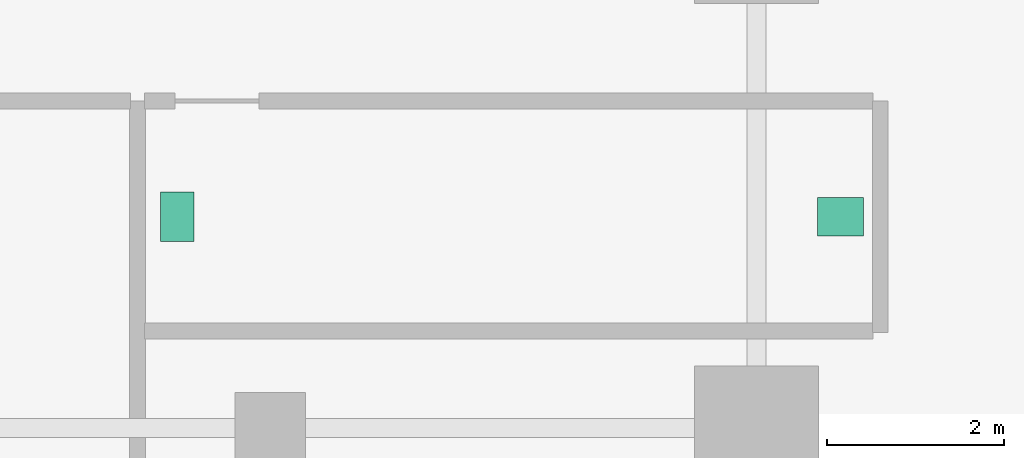
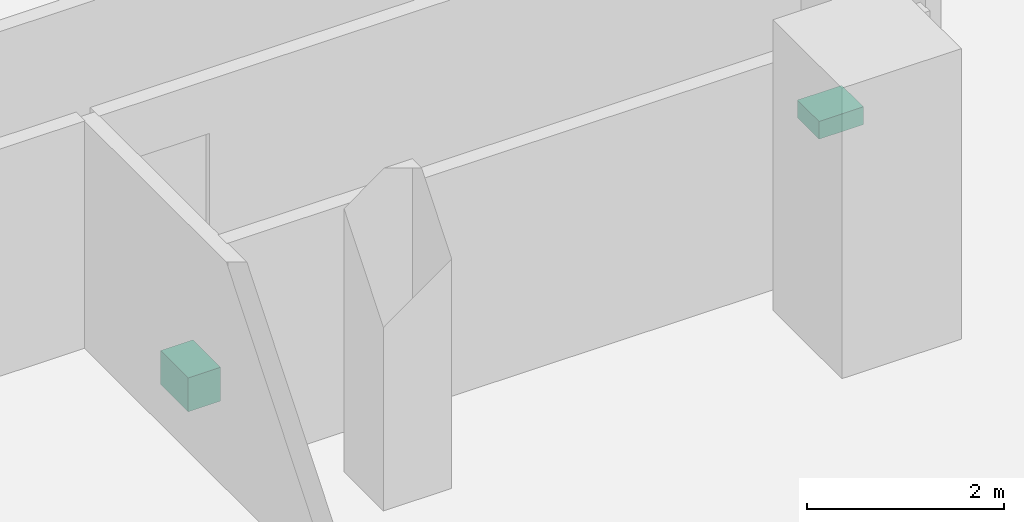
# One storey, part 21 of 21: 2 sanitary terminals.
"""IFC4 building model written with IfcOpenShell, lengths in metres."""

from ifc_helpers import new_model, si_unit, direction, frame, origin, origin_2d, place, context, subcontext, project, spatial, rectangle, extrude, material, type_object, element, save


model = new_model("IFC4")

# Units and contexts
model_context = context("Model", 3, precision=1e-05, world=origin(), true_north=direction((0.0, 1.0)))
body_context = subcontext(model_context, "Body", "Model", "MODEL_VIEW")
ifc_project = project(units=[si_unit("LENGTHUNIT", "METRE"), si_unit("AREAUNIT", "SQUARE_METRE"), si_unit("VOLUMEUNIT", "CUBIC_METRE"), si_unit("PLANEANGLEUNIT", "RADIAN"), si_unit("MASSUNIT", "GRAM", prefix="KILO")], contexts=[model_context])

# Site, building, storey
site_placement = place(None, origin())
site = spatial("IfcSite", under=ifc_project, at=site_placement, CompositionType="ELEMENT")
building_placement = place(site_placement, origin())
building = spatial("IfcBuilding", under=site, at=building_placement, Name="Barlavira Tower and Art Museum", CompositionType="ELEMENT")
storey_placement = place(building_placement, frame((0.0, 0.0, 79.199951171875)))
storey = spatial("IfcBuildingStorey", under=building, at=storey_placement, Name="L19", CompositionType="ELEMENT", Elevation=79.199951171875)

# Sanitary terminals
ifc_material = material(Name="Vitreous glazed ceramic", Category="ceramic")
sanitary_terminal_type_1 = type_object("IfcSanitaryTerminalType", Name="Countertop Ceramic Wash Hand Basin", PredefinedType="WASHHANDBASIN", material=ifc_material)
sanitary_terminal_1_placement = place(storey_placement, frame((17.949951171875, -10.610107421875, 0.740234375), z_axis=(0.0, 0.0, 1.0), x_axis=(1.0, 0.0, 0.0)))
element("IfcSanitaryTerminal", 1, at=sanitary_terminal_1_placement, inside=storey, type_object=sanitary_terminal_type_1, Name="L19-S-SWC Wash Basin", PredefinedType="WASHHANDBASIN", context=body_context, shape_type="SweptSolid", body=[
    extrude(rectangle(XDim=0.52001953125, YDim=0.43994140625, at=origin_2d()), origin(), (0.0, 0.0, 1.0), 0.219970703125),
])
sanitary_terminal_type_2 = type_object("IfcSanitaryTerminalType", Name="Wall-Hung Dual-Flush Vitreous WC Pan", PredefinedType="TOILETPAN", material=ifc_material)
sanitary_terminal_2_placement = place(storey_placement, frame((10.449951171875, -10.610107421875, 0.0), z_axis=(0.0, 0.0, 1.0), x_axis=(1.0, 0.0, 0.0)))
element("IfcSanitaryTerminal", 2, at=sanitary_terminal_2_placement, inside=storey, type_object=sanitary_terminal_type_2, Name="L19-S-SWC WC Pan", PredefinedType="TOILETPAN", context=body_context, shape_type="SweptSolid", body=[
    extrude(rectangle(XDim=0.3798828125, YDim=0.56005859375, at=origin_2d()), origin(), (0.0, 0.0, 1.0), 0.419921875),
])

save(model, "model.ifc")
